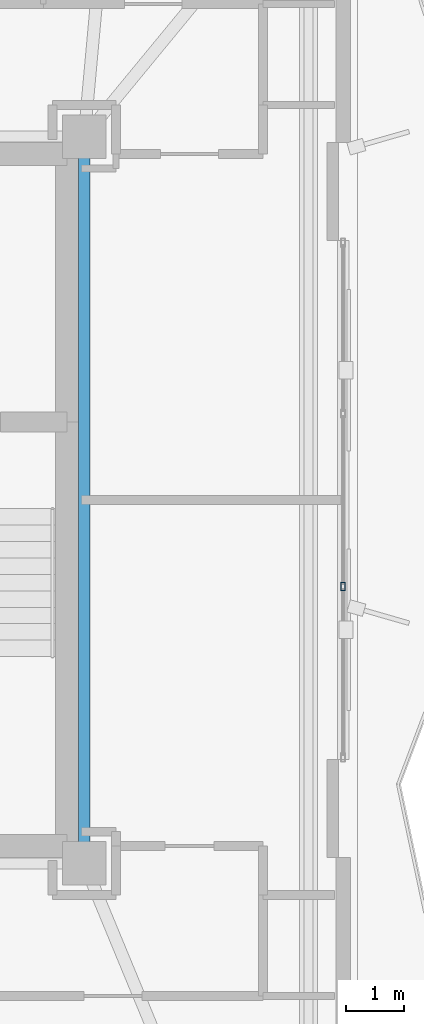
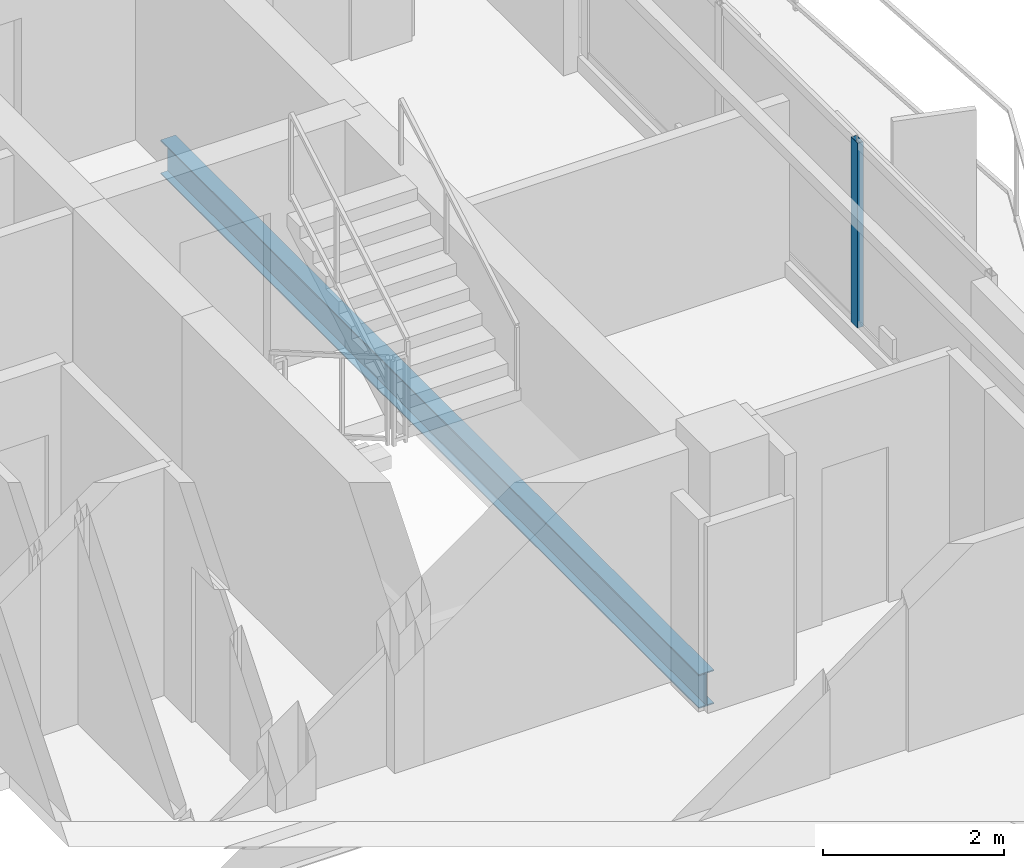
# One storey, part 11 of 21: 1 beam, 1 member, 1 element without a shape of its own.
"""IFC4 building model written with IfcOpenShell, lengths in metres."""

from ifc_helpers import new_model, si_unit, direction, frame, origin, origin_2d, place, context, subcontext, project, spatial, hollow_rectangle, i_section, extrude, material, layer, layer_set, material_profile, profile_set, type_object, element, aggregate, save


model = new_model("IFC4")

# Units and contexts
model_context = context("Model", 3, precision=1e-05, world=origin(), true_north=direction((0.0, 1.0)))
body_context = subcontext(model_context, "Body", "Model", "MODEL_VIEW")
ifc_project = project(units=[si_unit("LENGTHUNIT", "METRE"), si_unit("AREAUNIT", "SQUARE_METRE"), si_unit("VOLUMEUNIT", "CUBIC_METRE"), si_unit("PLANEANGLEUNIT", "RADIAN"), si_unit("MASSUNIT", "GRAM", prefix="KILO")], contexts=[model_context])

# Site, building, storey
site_placement = place(None, origin())
site = spatial("IfcSite", under=ifc_project, at=site_placement, CompositionType="ELEMENT")
building_placement = place(site_placement, origin())
building = spatial("IfcBuilding", under=site, at=building_placement, Name="Mersakhor Tower and Convention Hall", CompositionType="ELEMENT")
storey_placement = place(building_placement, frame((0.0, 0.0, 178.800048828125)))
storey = spatial("IfcBuildingStorey", under=building, at=storey_placement, Name="L49", CompositionType="ELEMENT", Elevation=178.800048828125)

# Beam
ifc_material_1 = material(Name="Steel S355", Category="steel")
ifc_material_profile_1 = material_profile(ifc_material_1, i_section(OverallWidth=0.19140625, OverallDepth=0.4599609375, WebThickness=0.010009765625, FlangeThickness=0.01611328125, at=origin_2d()), Name="UB 457x191x82")
ifc_profile_set_1 = profile_set([ifc_material_profile_1], Name="Steel S355")
beam_type = type_object("IfcBeamType", Name="BM-FB-457", PredefinedType="BEAM", material=ifc_profile_set_1)
beam_placement = place(storey_placement, frame((36.10009765625, 32.695068359375, -0.4599609375), z_axis=(0.0, -1.0, 0.0), x_axis=(1.0, 0.0, 0.0)))
element("IfcBeam", 1, at=beam_placement, inside=storey, type_object=beam_type, Name="L49 Core Ring Tie Beam CRB-3", PredefinedType="BEAM", context=body_context, shape_type="SweptSolid", body=[
    extrude(i_section(OverallWidth=0.19140625, OverallDepth=0.4599609375, WebThickness=0.010009765625, FlangeThickness=0.01611328125, at=origin_2d()), origin(), (0.0, 0.0, 1.0), 11.89013671875),
])

# Curtain wall, member
ifc_material_2 = material(Name="Dark solar low-E aluminium curtain wall", Category="aluminium")
ifc_layer = layer(ifc_material_2, 0.169921875)
ifc_layer_set = layer_set([ifc_layer], Name="Dark solar low-E aluminium curtain wall")
curtain_wall_type = type_object("IfcCurtainWallType", Name="CW-SYS-02", PredefinedType="USERDEFINED", material=ifc_layer_set)
curtain_wall_placement = place(storey_placement, origin())
curtain_wall = element("IfcCurtainWall", 2, at=curtain_wall_placement, inside=storey, type_object=curtain_wall_type, Name="L49 Dark-Glass Curtain Wall F2-B2", ObjectType="CURTAIN WALL", PredefinedType="USERDEFINED")
ifc_material_3 = material(Name="Anodised aluminium EN AW-6063 T6", Category="aluminium")
ifc_material_profile_2 = material_profile(ifc_material_3, hollow_rectangle(XDim=0.074951171875, YDim=0.14990234375, WallThickness=0.00634765625, at=origin_2d()), Name="RHS 150x75x6.3")
ifc_profile_set_2 = profile_set([ifc_material_profile_2], Name="Anodised aluminium EN AW-6063 T6")
member_type = type_object("IfcMemberType", Name="CWM-150x75", PredefinedType="MULLION", material=ifc_profile_set_2)
member_placement = place(storey_placement, frame((40.58837890625, 25.250244140625, 0.199951171875), z_axis=(0.0, 0.0, 1.0), x_axis=(1.0, 0.0, 0.0)))
member = element("IfcMember", 3, at=member_placement, type_object=member_type, Name="CW-02 mullion 3", PredefinedType="MULLION", context=body_context, shape_type="SweptSolid", body=[
    extrude(hollow_rectangle(XDim=0.074951171875, YDim=0.14990234375, WallThickness=0.00634765625, at=origin_2d()), origin(), (0.0, 0.0, 1.0), 2.489990234375),
])
aggregate(curtain_wall, [member])

save(model, "model.ifc")
